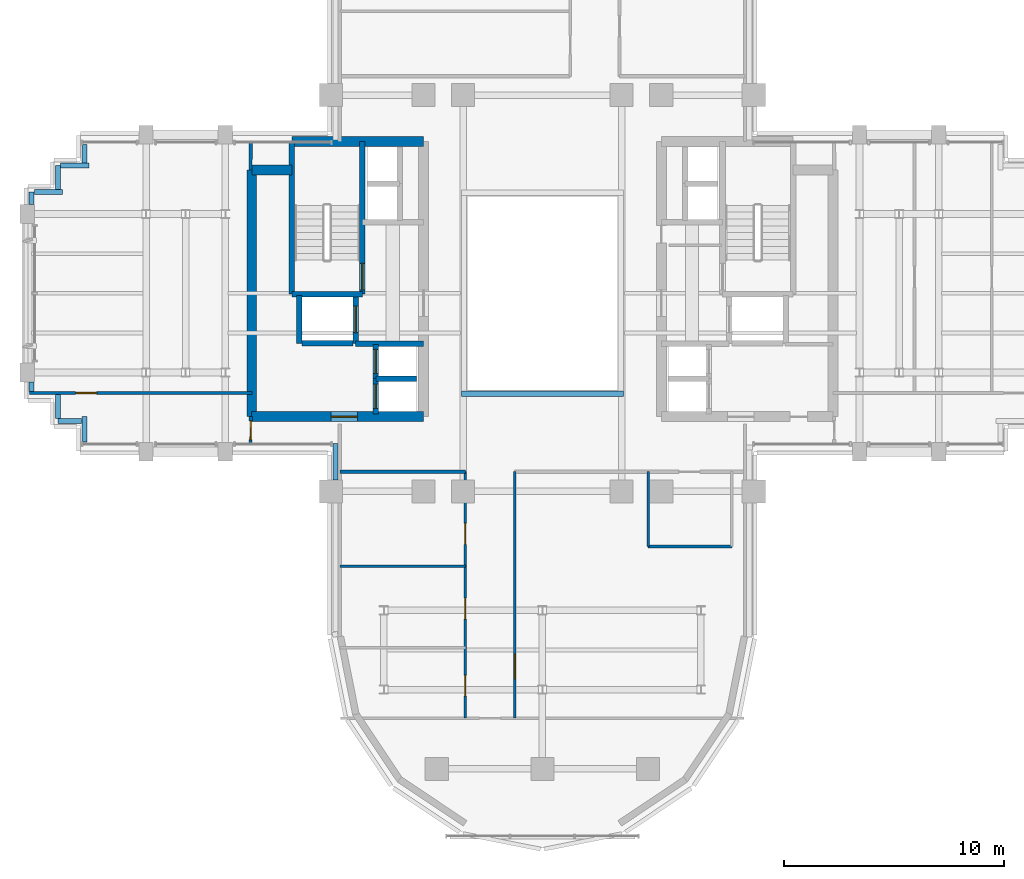
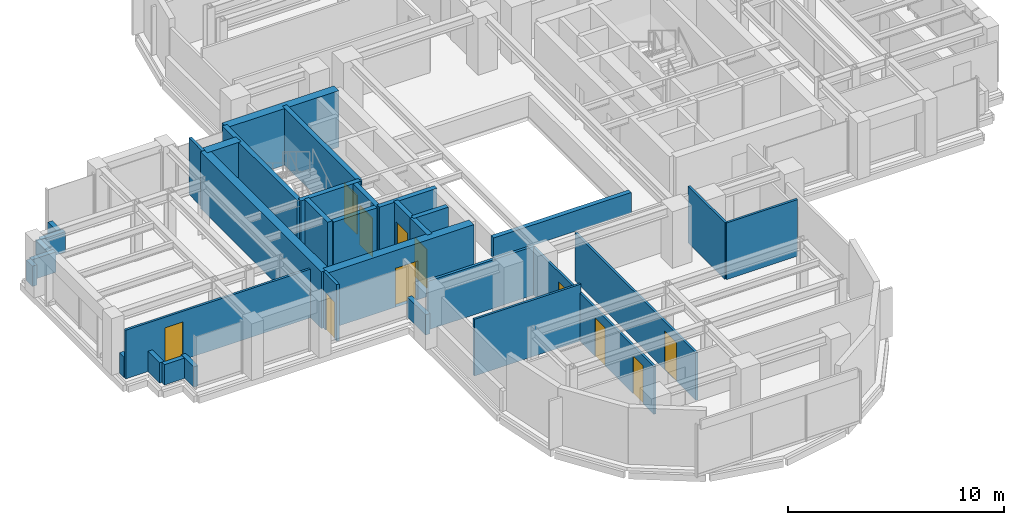
# One storey, part 8 of 14: 34 walls, 11 doors, 11 openings.
"""IFC4 building model written with IfcOpenShell, lengths in metres."""

from ifc_helpers import new_model, si_unit, direction, frame, frame_2d, origin, place, context, subcontext, project, spatial, rectangle, extrude, source, transform, mapped, material, layer, layer_set, type_object, element, fill, save


model = new_model("IFC4")

# Units and contexts
model_context = context("Model", 3, precision=1e-05, world=origin(), true_north=direction((0.0, 1.0)))
body_context = subcontext(model_context, "Body", "Model", "MODEL_VIEW")
ifc_project = project(units=[si_unit("LENGTHUNIT", "METRE"), si_unit("AREAUNIT", "SQUARE_METRE"), si_unit("VOLUMEUNIT", "CUBIC_METRE"), si_unit("PLANEANGLEUNIT", "RADIAN"), si_unit("MASSUNIT", "GRAM", prefix="KILO")], contexts=[model_context])

# Site, building, storey
site_placement = place(None, origin())
site = spatial("IfcSite", under=ifc_project, at=site_placement, CompositionType="ELEMENT")
building_placement = place(site_placement, origin())
building = spatial("IfcBuilding", under=site, at=building_placement, Name="Keilestroom Media Tower", CompositionType="ELEMENT")
storey_placement = place(building_placement, frame((0.0, 0.0, 134.60009765625)))
storey = spatial("IfcBuildingStorey", under=building, at=storey_placement, Name="L36", CompositionType="ELEMENT", Elevation=134.60009765625)

# Wall, openings, doors
ifc_material_1 = material(Name="Gypsum Plasterboard & Steel Stud", Category="steel")
ifc_layer_1 = layer(ifc_material_1, 0.1201171875)
ifc_layer_set_1 = layer_set([ifc_layer_1], Name="Gypsum Plasterboard & Steel Stud")
wall_type_1 = type_object("IfcWallType", Name="Interior-Partition-Wall-120", PredefinedType="PARTITIONING", material=ifc_layer_set_1)
wall_1_placement = place(storey_placement, frame((-3.5, -19.300048828125, 0.0), z_axis=(0.0, 0.0, 1.0), x_axis=(0.0, 1.0, 0.0)))
wall_1 = element("IfcWall", 1, at=wall_1_placement, inside=storey, type_object=wall_type_1, Name="L36 Interior Wall WP-L36-SL-SPW", PredefinedType="PARTITIONING", context=body_context, shape_type="SweptSolid", body=[
    extrude(rectangle(XDim=11.199951171875, YDim=0.1201171875, at=frame_2d((5.60009765625, 0.0))), origin(), (0.0, 0.0, 1.0), 2.699951171875),
])
opening_1_placement = place(wall_1_placement, frame((7.89990234375, 0.0, 0.0)))
opening_1 = element("IfcOpeningElement", 2, at=opening_1_placement, cuts=wall_1, Name="Opening DI-03", PredefinedType="OPENING", context=body_context, shape_type="SweptSolid", body=[
    extrude(rectangle(XDim=0.949951171875, YDim=2.14990234375, at=frame_2d((0.47509765625, 1.074951171875))), frame((0.0, 0.070068359375, 0.0), z_axis=(0.0, -1.0, 0.0), x_axis=(1.0, 0.0, 0.0)), (0.0, 0.0, 1.0), 0.14013671875),
])
opening_2_placement = place(wall_1_placement, frame((4.5, 0.0, 0.0)))
opening_2 = element("IfcOpeningElement", 3, at=opening_2_placement, cuts=wall_1, Name="Opening DI-03", PredefinedType="OPENING", context=body_context, shape_type="SweptSolid", body=[
    extrude(rectangle(XDim=0.949951171875, YDim=2.14990234375, at=frame_2d((0.47509765625, 1.074951171875))), frame((0.0, 0.070068359375, 0.0), z_axis=(0.0, -1.0, 0.0), x_axis=(1.0, 0.0, 0.0)), (0.0, 0.0, 1.0), 0.14013671875),
])
opening_3_placement = place(wall_1_placement, frame((1.0, 0.0, 0.0)))
opening_3 = element("IfcOpeningElement", 4, at=opening_3_placement, cuts=wall_1, Name="Opening DI-03", PredefinedType="OPENING", context=body_context, shape_type="SweptSolid", body=[
    extrude(rectangle(XDim=0.949951171875, YDim=2.14990234375, at=frame_2d((0.47509765625, 1.074951171875))), frame((0.0, 0.070068359375, 0.0), z_axis=(0.0, -1.0, 0.0), x_axis=(1.0, 0.0, 0.0)), (0.0, 0.0, 1.0), 0.14013671875),
])
ifc_material_2 = material(Name="Lacquered European Oak Leaf", Category="wood")
door_type_1 = type_object("IfcDoorType", Name="Interior-Room-And-Suite-Door-DI-03", OperationType="NOTDEFINED", PredefinedType="DOOR", material=ifc_material_2)
shared_shape_1 = source(origin(), body_context, "Body", "SweptSolid", [
    extrude(rectangle(XDim=0.949951171875, YDim=2.14990234375, at=frame_2d((0.47509765625, 1.074951171875))), frame((0.0, 0.02490234375, 0.0), z_axis=(0.0, -1.0, 0.0), x_axis=(1.0, 0.0, 0.0)), (0.0, 0.0, 1.0), 0.050048828125),
])
door_1_placement = place(opening_1_placement, origin())
door_1 = element("IfcDoor", 5, at=door_1_placement, inside=storey, type_object=door_type_1, Name="L36 Interior Door DI-L36-DSL-W1", OperationType="SINGLE_SWING_RIGHT", OverallHeight=2.14990234375, OverallWidth=0.949951171875, PredefinedType="DOOR", context=body_context, shape_type="MappedRepresentation", body=[
    mapped(shared_shape_1, transform((0.0, 0.0, 0.0), x_axis=(1.0, 0.0, 0.0), y_axis=(0.0, 1.0, 0.0), z_axis=(0.0, 0.0, 1.0), scale=1.0)),
])
fill(opening_1, door_1)
door_2_placement = place(opening_2_placement, origin())
door_2 = element("IfcDoor", 6, at=door_2_placement, inside=storey, type_object=door_type_1, Name="L36 Interior Door DI-L36-DSL-W2", OperationType="SINGLE_SWING_LEFT", OverallHeight=2.14990234375, OverallWidth=0.949951171875, PredefinedType="DOOR", context=body_context, shape_type="MappedRepresentation", body=[
    mapped(shared_shape_1, transform((0.0, 0.0, 0.0), x_axis=(1.0, 0.0, 0.0), y_axis=(0.0, 1.0, 0.0), z_axis=(0.0, 0.0, 1.0), scale=1.0)),
])
fill(opening_2, door_2)
door_3_placement = place(opening_3_placement, origin())
door_3 = element("IfcDoor", 7, at=door_3_placement, inside=storey, type_object=door_type_1, Name="L36 Interior Door DI-L36-DSL-W3", OperationType="SINGLE_SWING_RIGHT", OverallHeight=2.14990234375, OverallWidth=0.949951171875, PredefinedType="DOOR", context=body_context, shape_type="MappedRepresentation", body=[
    mapped(shared_shape_1, transform((0.0, 0.0, 0.0), x_axis=(1.0, 0.0, 0.0), y_axis=(0.0, 1.0, 0.0), z_axis=(0.0, 0.0, 1.0), scale=1.0)),
])
fill(opening_3, door_3)

# Wall, opening, door
wall_2_placement = place(storey_placement, frame((-1.260009765625, -19.300048828125, 0.0), z_axis=(0.0, 0.0, 1.0), x_axis=(0.0, 1.0, 0.0)))
wall_2 = element("IfcWall", 8, at=wall_2_placement, inside=storey, type_object=wall_type_1, Name="L36 Interior Wall WP-L36-SL-SPE", PredefinedType="PARTITIONING", context=body_context, shape_type="SweptSolid", body=[
    extrude(rectangle(XDim=11.199951171875, YDim=0.1201171875, at=frame_2d((5.60009765625, 0.0))), origin(), (0.0, 0.0, 1.0), 2.699951171875),
])
opening_4_placement = place(wall_2_placement, frame((1.800048828125, 0.0, 0.0)))
opening_4 = element("IfcOpeningElement", 9, at=opening_4_placement, cuts=wall_2, Name="Opening DI-04", PredefinedType="OPENING", context=body_context, shape_type="SweptSolid", body=[
    extrude(rectangle(XDim=1.10009765625, YDim=2.199951171875, at=frame_2d((0.550048828125, 1.10009765625))), frame((0.0, 0.070068359375, 0.0), z_axis=(0.0, -1.0, 0.0), x_axis=(1.0, 0.0, 0.0)), (0.0, 0.0, 1.0), 0.14013671875),
])
ifc_material_3 = material(Name="Acoustic Glazed Aluminium Leaf", Category="aluminium")
door_type_2 = type_object("IfcDoorType", Name="Interior-Room-And-Suite-Door-DI-04", OperationType="NOTDEFINED", PredefinedType="DOOR", material=ifc_material_3)
shared_shape_2 = source(origin(), body_context, "Body", "SweptSolid", [
    extrude(rectangle(XDim=1.10009765625, YDim=2.199951171875, at=frame_2d((0.550048828125, 1.10009765625))), frame((0.0, 0.02490234375, 0.0), z_axis=(0.0, -1.0, 0.0), x_axis=(1.0, 0.0, 0.0)), (0.0, 0.0, 1.0), 0.050048828125),
])
door_4_placement = place(opening_4_placement, origin())
door_4 = element("IfcDoor", 10, at=door_4_placement, inside=storey, type_object=door_type_2, Name="L36 Interior Door DI-L36-DSL-E1", OperationType="SINGLE_SWING_LEFT", OverallHeight=2.199951171875, OverallWidth=1.10009765625, PredefinedType="DOOR", context=body_context, shape_type="MappedRepresentation", body=[
    mapped(shared_shape_2, transform((0.0, 0.0, 0.0), x_axis=(1.0, 0.0, 0.0), y_axis=(0.0, 1.0, 0.0), z_axis=(0.0, 0.0, 1.0), scale=1.0)),
])
fill(opening_4, door_4)

# Walls
wall_3_placement = place(storey_placement, frame((4.800048828125, -11.5, 0.0), z_axis=(0.0, 0.0, 1.0), x_axis=(1.0, 0.0, 0.0)))
element("IfcWall", 11, at=wall_3_placement, inside=storey, type_object=wall_type_1, Name="L36 Interior Wall WP-L36-SL-WC-S", PredefinedType="PARTITIONING", context=body_context, shape_type="SweptSolid", body=[
    extrude(rectangle(XDim=3.800048828125, YDim=0.1201171875, at=frame_2d((1.89990234375, 0.0))), origin(), (0.0, 0.0, 1.0), 3.199951171875),
])
wall_4_placement = place(storey_placement, frame((4.800048828125, -11.5, 0.0), z_axis=(0.0, 0.0, 1.0), x_axis=(0.0, 1.0, 0.0)))
element("IfcWall", 12, at=wall_4_placement, inside=storey, type_object=wall_type_1, Name="L36 Interior Wall WP-L36-SL-WC-W", PredefinedType="PARTITIONING", context=body_context, shape_type="SweptSolid", body=[
    extrude(rectangle(XDim=3.39990234375, YDim=0.1201171875, at=frame_2d((1.699951171875, 0.0))), origin(), (0.0, 0.0, 1.0), 3.199951171875),
])
wall_5_placement = place(storey_placement, frame((-9.199951171875, -12.39990234375, 0.0), z_axis=(0.0, 0.0, 1.0), x_axis=(1.0, 0.0, 0.0)))
element("IfcWall", 13, at=wall_5_placement, inside=storey, type_object=wall_type_1, Name="L36 Interior Wall WP-L36-SL-HW2", PredefinedType="PARTITIONING", context=body_context, shape_type="SweptSolid", body=[
    extrude(rectangle(XDim=5.699951171875, YDim=0.1201171875, at=frame_2d((2.85009765625, 0.0))), origin(), (0.0, 0.0, 1.0), 3.199951171875),
])

# Wall, opening, door
wall_6_placement = place(storey_placement, frame((-23.300048828125, -4.530029296875, 0.0), z_axis=(0.0, 0.0, 1.0), x_axis=(1.0, 0.0, 0.0)))
wall_6 = element("IfcWall", 14, at=wall_6_placement, inside=storey, type_object=wall_type_1, Name="L36 Interior Wall WP-L36-WA-CN", PredefinedType="PARTITIONING", context=body_context, shape_type="SweptSolid", body=[
    extrude(rectangle(XDim=10.10009765625, YDim=0.1201171875, at=frame_2d((5.050048828125, 0.0))), origin(), (0.0, 0.0, 1.0), 2.75),
])
opening_5_placement = place(wall_6_placement, frame((2.10009765625, 0.0, 0.0)))
opening_5 = element("IfcOpeningElement", 15, at=opening_5_placement, cuts=wall_6, Name="Opening DI-03", PredefinedType="OPENING", context=body_context, shape_type="SweptSolid", body=[
    extrude(rectangle(XDim=0.949951171875, YDim=2.14990234375, at=frame_2d((0.47509765625, 1.074951171875))), frame((0.0, 0.070068359375, 0.0), z_axis=(0.0, -1.0, 0.0), x_axis=(1.0, 0.0, 0.0)), (0.0, 0.0, 1.0), 0.14013671875),
])
door_5_placement = place(opening_5_placement, origin())
door_5 = element("IfcDoor", 16, at=door_5_placement, inside=storey, type_object=door_type_1, Name="L36 Interior Door DI-L36-DWA-RN", OperationType="SINGLE_SWING_LEFT", OverallHeight=2.14990234375, OverallWidth=0.949951171875, PredefinedType="DOOR", context=body_context, shape_type="MappedRepresentation", body=[
    mapped(shared_shape_1, transform((0.0, 0.0, 0.0), x_axis=(1.0, 0.0, 0.0), y_axis=(0.0, 1.0, 0.0), z_axis=(0.0, 0.0, 1.0), scale=1.0)),
])
fill(opening_5, door_5)

# Walls
ifc_layer_2 = layer(ifc_material_1, 0.14990234375)
ifc_layer_set_2 = layer_set([ifc_layer_2], Name="Gypsum Plasterboard & Steel Stud")
wall_type_2 = type_object("IfcWallType", Name="Interior-Partition-Wall-150", PredefinedType="PARTITIONING", material=ifc_layer_set_2)
wall_7_placement = place(storey_placement, frame((-9.199951171875, -8.10009765625, 0.0), z_axis=(0.0, 0.0, 1.0), x_axis=(1.0, 0.0, 0.0)))
element("IfcWall", 17, at=wall_7_placement, inside=storey, type_object=wall_type_2, Name="L36 Interior Wall WP-L36-SL-BASE-W", PredefinedType="PARTITIONING", context=body_context, shape_type="SweptSolid", body=[
    extrude(rectangle(XDim=5.699951171875, YDim=0.14990234375, at=frame_2d((2.85009765625, 0.0))), origin(), (0.0, 0.0, 1.0), 2.75),
])
wall_8_placement = place(storey_placement, frame((-13.260009765625, 5.60009765625, 0.0), z_axis=(0.0, 0.0, 1.0), x_axis=(0.016013571389, 0.999871774545, 0.0)))
element("IfcWall", 18, at=wall_8_placement, inside=storey, type_object=wall_type_2, Name="L36 Interior Wall WP-L36-WA-ENTN", PredefinedType="PARTITIONING", context=body_context, shape_type="SweptSolid", body=[
    extrude(rectangle(XDim=1.250244140625, YDim=0.14990234375, at=frame_2d((0.625, 0.0))), origin(), (0.0, 0.0, 1.0), 3.199951171875),
])

# Wall, opening, door
wall_9_placement = place(storey_placement, frame((-13.260009765625, -6.85009765625, 0.0), z_axis=(0.0, 0.0, 1.0), x_axis=(0.016013571389, 0.999871774545, 0.0)))
wall_9 = element("IfcWall", 19, at=wall_9_placement, inside=storey, type_object=wall_type_2, Name="L36 Interior Wall WP-L36-WA-ENTS", PredefinedType="PARTITIONING", context=body_context, shape_type="SweptSolid", body=[
    extrude(rectangle(XDim=1.250244140625, YDim=0.14990234375, at=frame_2d((0.625, 0.0))), origin(), (0.0, 0.0, 1.0), 3.199951171875),
])
opening_6_placement = place(wall_9_placement, frame((0.199951171875, 0.0, 0.0)))
opening_6 = element("IfcOpeningElement", 20, at=opening_6_placement, cuts=wall_9, Name="Opening DI-05", PredefinedType="OPENING", context=body_context, shape_type="SweptSolid", body=[
    extrude(rectangle(XDim=0.85009765625, YDim=2.10009765625, at=frame_2d((0.425048828125, 1.050048828125))), frame((0.0, 0.0849609375, 0.0), z_axis=(0.0, -1.0, 0.0), x_axis=(1.0, 0.0, 0.0)), (0.0, 0.0, 1.0), 0.169921875),
])
ifc_material_4 = material(Name="Moisture-Resistant Oak Leaf", Category="wood")
door_type_3 = type_object("IfcDoorType", Name="Interior-En-Suite-And-Cupboard-Door-DI-05", OperationType="NOTDEFINED", PredefinedType="DOOR", material=ifc_material_4)
shared_shape_3 = source(origin(), body_context, "Body", "SweptSolid", [
    extrude(rectangle(XDim=0.85009765625, YDim=2.10009765625, at=frame_2d((0.425048828125, 1.050048828125))), frame((0.0, 0.02490234375, 0.0), z_axis=(0.0, -1.0, 0.0), x_axis=(1.0, 0.0, 0.0)), (0.0, 0.0, 1.0), 0.050048828125),
])
door_6_placement = place(opening_6_placement, origin())
door_6 = element("IfcDoor", 21, at=door_6_placement, inside=storey, type_object=door_type_3, Name="L36 Interior Door DI-L36-DWA-ENTS", OperationType="SINGLE_SWING_LEFT", OverallHeight=2.10009765625, OverallWidth=0.85009765625, PredefinedType="DOOR", context=body_context, shape_type="MappedRepresentation", body=[
    mapped(shared_shape_3, transform((0.0, 0.0, 0.0), x_axis=(1.0, 0.0, 0.0), y_axis=(0.0, 1.0, 0.0), z_axis=(0.0, 0.0, 1.0), scale=1.0)),
])
fill(opening_6, door_6)

# Walls
ifc_material_5 = material(Name="Concrete C55/67", Category="concrete")
ifc_layer_3 = layer(ifc_material_5, 0.449951171875)
ifc_layer_set_3 = layer_set([ifc_layer_3], Name="Concrete C55/67")
wall_type_3 = type_object("IfcWallType", Name="Reinforced-Concrete-Core-Shear-Wall-450", PredefinedType="SHEAR", material=ifc_layer_set_3)
wall_10_placement = place(storey_placement, frame((-13.199951171875, -5.60009765625, 0.0), z_axis=(0.0, 0.0, 1.0), x_axis=(0.0, 1.0, 0.0)))
element("IfcWall", 22, at=wall_10_placement, inside=storey, type_object=wall_type_3, Name="L36 Core Shear Wall WL-L36-CORE-W-OUT", PredefinedType="SHEAR", context=body_context, shape_type="SweptSolid", body=[
    extrude(rectangle(XDim=11.2001953125, YDim=0.449951171875, at=frame_2d((5.60009765625, 0.0))), origin(), (0.0, 0.0, 1.0), 3.199951171875),
])
wall_11_placement = place(storey_placement, frame((-11.381103515625, 6.89990234375, 0.0), z_axis=(0.0, 0.0, 1.0), x_axis=(1.0, 0.0, 0.0)))
element("IfcWall", 23, at=wall_11_placement, inside=storey, type_object=wall_type_3, Name="L36 Core Shear Wall WL-L36-CORE-W-N", PredefinedType="SHEAR", context=body_context, shape_type="SweptSolid", body=[
    extrude(rectangle(XDim=5.981201171875, YDim=0.449951171875, at=frame_2d((2.99072265625, 0.0))), origin(), (0.0, 0.0, 1.0), 3.199951171875),
])
wall_12_placement = place(storey_placement, frame((-13.199951171875, 5.60009765625, 0.0), z_axis=(0.0, 0.0, 1.0), x_axis=(1.0, 0.0, 0.0)))
element("IfcWall", 24, at=wall_12_placement, inside=storey, type_object=wall_type_3, Name="L36 Core Shear Wall WL-L36-CNW-N", PredefinedType="SHEAR", context=body_context, shape_type="SweptSolid", body=[
    extrude(rectangle(XDim=1.81884765625, YDim=0.449951171875, at=frame_2d((0.909423828125, 0.0))), origin(), (0.0, 0.0, 1.0), 3.199951171875),
])

# Wall, opening, door
wall_13_placement = place(storey_placement, frame((-13.199951171875, -5.60009765625, 0.0), z_axis=(0.0, 0.0, 1.0), x_axis=(1.0, 0.0, 0.0)))
wall_13 = element("IfcWall", 25, at=wall_13_placement, inside=storey, type_object=wall_type_3, Name="L36 Core Shear Wall WL-L36-CORE-W-S", PredefinedType="SHEAR", context=body_context, shape_type="SweptSolid", body=[
    extrude(rectangle(XDim=7.800048828125, YDim=0.449951171875, at=frame_2d((3.89990234375, 0.0))), origin(), (0.0, 0.0, 1.0), 3.199951171875),
])
opening_7_placement = place(wall_13_placement, frame((3.60009765625, 0.0, 0.0)))
opening_7 = element("IfcOpeningElement", 26, at=opening_7_placement, cuts=wall_13, Name="Opening DI-02", PredefinedType="OPENING", context=body_context, shape_type="SweptSolid", body=[
    extrude(rectangle(XDim=1.199951171875, YDim=2.199951171875, at=frame_2d((0.60009765625, 1.10009765625))), frame((0.0, 0.23486328125, 0.0), z_axis=(0.0, -1.0, 0.0), x_axis=(1.0, 0.0, 0.0)), (0.0, 0.0, 1.0), 0.469970703125),
])
ifc_material_6 = material(Name="Powder-Coated Steel Fire Leaf", Category="steel")
door_type_4 = type_object("IfcDoorType", Name="Interior-Compartment-Fire-Door-DI-02", OperationType="NOTDEFINED", PredefinedType="DOOR", material=ifc_material_6)
shared_shape_4 = source(origin(), body_context, "Body", "SweptSolid", [
    extrude(rectangle(XDim=1.199951171875, YDim=2.199951171875, at=frame_2d((0.60009765625, 1.10009765625))), frame((0.0, 0.02490234375, 0.0), z_axis=(0.0, -1.0, 0.0), x_axis=(1.0, 0.0, 0.0)), (0.0, 0.0, 1.0), 0.050048828125),
])
door_7_placement = place(opening_7_placement, origin())
door_7 = element("IfcDoor", 27, at=door_7_placement, inside=storey, type_object=door_type_4, Name="L36 W Passenger Lift Lobby Door", OperationType="SINGLE_SWING_LEFT", OverallHeight=2.199951171875, OverallWidth=1.199951171875, PredefinedType="DOOR", context=body_context, shape_type="MappedRepresentation", body=[
    mapped(shared_shape_4, transform((0.0, 0.0, 0.0), x_axis=(1.0, 0.0, 0.0), y_axis=(0.0, 1.0, 0.0), z_axis=(0.0, 0.0, 1.0), scale=1.0)),
])
fill(opening_7, door_7)

# Wall
ifc_material_7 = material(Name="Concrete C50/60", Category="concrete")
ifc_layer_4 = layer(ifc_material_7, 0.25)
ifc_layer_set_4 = layer_set([ifc_layer_4], Name="Concrete C50/60")
wall_type_4 = type_object("IfcWallType", Name="Reinforced-Concrete-Shaft-Wall-250", PredefinedType="SOLIDWALL", material=ifc_layer_set_4)
wall_14_placement = place(storey_placement, frame((-8.47998046875, -2.300048828125, 0.0), z_axis=(0.0, 0.0, 1.0), x_axis=(1.0, 0.0, 0.0)))
element("IfcWall", 28, at=wall_14_placement, inside=storey, type_object=wall_type_4, Name="L36 Core Shear Wall WL-L36-CORE-W-FFS", PredefinedType="SOLIDWALL", context=body_context, shape_type="SweptSolid", body=[
    extrude(rectangle(XDim=3.080078125, YDim=0.25, at=frame_2d((1.5400390625, 0.0))), origin(), (0.0, 0.0, 1.0), 3.199951171875),
])

# Wall, opening, door
wall_15_placement = place(storey_placement, frame((-8.178955078125, -0.041015625, 0.0), z_axis=(0.0, 0.0, 1.0), x_axis=(0.0, 1.0, 0.0)))
wall_15 = element("IfcWall", 29, at=wall_15_placement, inside=storey, type_object=wall_type_4, Name="L36 Core Shear Wall WL-L36-STW-W-NEAR", PredefinedType="SOLIDWALL", context=body_context, shape_type="SweptSolid", body=[
    extrude(rectangle(XDim=6.94091796875, YDim=0.25, at=frame_2d((3.470458984375, 0.0))), origin(), (0.0, 0.0, 1.0), 3.199951171875),
])
opening_8_placement = place(wall_15_placement, frame((0.199951171875, 0.0, 0.0)))
opening_8 = element("IfcOpeningElement", 30, at=opening_8_placement, cuts=wall_15, Name="Opening DI-01S", PredefinedType="OPENING", context=body_context, shape_type="SweptSolid", body=[
    extrude(rectangle(XDim=1.199951171875, YDim=2.199951171875, at=frame_2d((0.60009765625, 1.10009765625))), frame((0.0, 0.135009765625, 0.0), z_axis=(0.0, -1.0, 0.0), x_axis=(1.0, 0.0, 0.0)), (0.0, 0.0, 1.0), 0.27001953125),
])
door_type_5 = type_object("IfcDoorType", Name="Interior-Stair-And-Core-Fire-Door-DI-01", OperationType="NOTDEFINED", PredefinedType="DOOR", material=ifc_material_6)
door_8_placement = place(opening_8_placement, origin())
door_8 = element("IfcDoor", 31, at=door_8_placement, inside=storey, type_object=door_type_5, Name="L36 Escape Stair ST-1 Fire Door", OperationType="SINGLE_SWING_LEFT", OverallHeight=2.199951171875, OverallWidth=1.199951171875, PredefinedType="DOOR", context=body_context, shape_type="MappedRepresentation", body=[
    mapped(shared_shape_4, transform((0.0, 0.0, 0.0), x_axis=(1.0, 0.0, 0.0), y_axis=(0.0, 1.0, 0.0), z_axis=(0.0, 0.0, 1.0), scale=1.0)),
])
fill(opening_8, door_8)

# Walls
wall_16_placement = place(storey_placement, frame((-11.381103515625, -0.041015625, 0.0), z_axis=(0.0, 0.0, 1.0), x_axis=(0.0, 1.0, 0.0)))
element("IfcWall", 32, at=wall_16_placement, inside=storey, type_object=wall_type_4, Name="L36 Core Shear Wall WL-L36-STW-W-FAR", PredefinedType="SOLIDWALL", context=body_context, shape_type="SweptSolid", body=[
    extrude(rectangle(XDim=6.94091796875, YDim=0.25, at=frame_2d((3.470458984375, 0.0))), origin(), (0.0, 0.0, 1.0), 3.199951171875),
])
wall_17_placement = place(storey_placement, frame((-11.381103515625, -0.041015625, 0.0), z_axis=(0.0, 0.0, 1.0), x_axis=(1.0, 0.0, 0.0)))
element("IfcWall", 33, at=wall_17_placement, inside=storey, type_object=wall_type_4, Name="L36 Core Shear Wall WL-L36-STW-W-S", PredefinedType="SOLIDWALL", context=body_context, shape_type="SweptSolid", body=[
    extrude(rectangle(XDim=3.2021484375, YDim=0.25, at=frame_2d((1.60107421875, 0.0))), origin(), (0.0, 0.0, 1.0), 3.199951171875),
])
wall_18_placement = place(storey_placement, frame((-11.050048828125, -2.280029296875, 0.0), z_axis=(0.0, 0.0, 1.0), x_axis=(0.0, 1.0, 0.0)))
element("IfcWall", 34, at=wall_18_placement, inside=storey, type_object=wall_type_4, Name="L36 Core Shear Wall WL-L36-LSH-FFL-1-W", PredefinedType="SOLIDWALL", context=body_context, shape_type="SweptSolid", body=[
    extrude(rectangle(XDim=2.179931640625, YDim=0.25, at=frame_2d((1.08984375, 0.0))), origin(), (0.0, 0.0, 1.0), 3.199951171875),
])

# Wall, opening, door
wall_19_placement = place(storey_placement, frame((-8.47998046875, -2.280029296875, 0.0), z_axis=(0.0, 0.0, 1.0), x_axis=(0.0, 1.0, 0.0)))
wall_19 = element("IfcWall", 35, at=wall_19_placement, inside=storey, type_object=wall_type_4, Name="L36 Core Shear Wall WL-L36-LSH-FFL-1-E", PredefinedType="SOLIDWALL", context=body_context, shape_type="SweptSolid", body=[
    extrude(rectangle(XDim=2.179931640625, YDim=0.25, at=frame_2d((1.08984375, 0.0))), origin(), (0.0, 0.0, 1.0), 3.199951171875),
])
opening_9_placement = place(wall_19_placement, frame((0.489990234375, 0.0, 0.0)))
opening_9 = element("IfcOpeningElement", 36, at=opening_9_placement, cuts=wall_19, Name="Opening LD-02", PredefinedType="OPENING", context=body_context, shape_type="SweptSolid", body=[
    extrude(rectangle(XDim=1.199951171875, YDim=2.199951171875, at=frame_2d((0.60009765625, 1.10009765625))), frame((0.0, 0.135009765625, 0.0), z_axis=(0.0, -1.0, 0.0), x_axis=(1.0, 0.0, 0.0)), (0.0, 0.0, 1.0), 0.27001953125),
])
ifc_material_8 = material(Name="Brushed Stainless Steel Sliding Leaf", Category="steel")
door_type_6 = type_object("IfcDoorType", Name="Lift-Landing-Sliding-Door-LD-02", OperationType="SLIDING_TO_RIGHT", PredefinedType="DOOR", material=ifc_material_8)
door_9_placement = place(opening_9_placement, origin())
door_9 = element("IfcDoor", 37, at=door_9_placement, inside=storey, type_object=door_type_6, Name="L36 Lift FFL-1 Landing Sliding Door", OperationType="SLIDING_TO_RIGHT", OverallHeight=2.199951171875, OverallWidth=1.199951171875, PredefinedType="DOOR", context=body_context, shape_type="MappedRepresentation", body=[
    mapped(shared_shape_4, transform((0.0, 0.0, 0.0), x_axis=(1.0, 0.0, 0.0), y_axis=(0.0, 1.0, 0.0), z_axis=(0.0, 0.0, 1.0), scale=1.0)),
])
fill(opening_9, door_9)

# Wall
wall_20_placement = place(storey_placement, frame((-10.9208984375, -2.280029296875, 0.0), z_axis=(0.0, 0.0, 1.0), x_axis=(1.0, 0.0, 0.0)))
element("IfcWall", 38, at=wall_20_placement, inside=storey, type_object=wall_type_4, Name="L36 Core Shear Wall WL-L36-LSH-FFL-1-S", PredefinedType="SOLIDWALL", context=body_context, shape_type="SweptSolid", body=[
    extrude(rectangle(XDim=2.31201171875, YDim=0.25, at=frame_2d((1.156005859375, 0.0))), origin(), (0.0, 0.0, 1.0), 3.199951171875),
])

# Wall, opening, door
wall_21_placement = place(storey_placement, frame((-7.56005859375, -5.47998046875, 0.0), z_axis=(0.0, 0.0, 1.0), x_axis=(0.0, 1.0, 0.0)))
wall_21 = element("IfcWall", 39, at=wall_21_placement, inside=storey, type_object=wall_type_4, Name="L36 Core Shear Wall WL-L36-LSH-PL-M1-W", PredefinedType="SOLIDWALL", context=body_context, shape_type="SweptSolid", body=[
    extrude(rectangle(XDim=1.60009765625, YDim=0.25, at=frame_2d((0.800048828125, 0.0))), origin(), (0.0, 0.0, 1.0), 3.199951171875),
])
opening_10_placement = place(wall_21_placement, frame((0.25, 0.0, 0.0)))
opening_10 = element("IfcOpeningElement", 40, at=opening_10_placement, cuts=wall_21, Name="Opening LD-01", PredefinedType="OPENING", context=body_context, shape_type="SweptSolid", body=[
    extrude(rectangle(XDim=1.10009765625, YDim=2.199951171875, at=frame_2d((0.550048828125, 1.10009765625))), frame((0.0, 0.135009765625, 0.0), z_axis=(0.0, -1.0, 0.0), x_axis=(1.0, 0.0, 0.0)), (0.0, 0.0, 1.0), 0.27001953125),
])
door_type_7 = type_object("IfcDoorType", Name="Lift-Landing-Sliding-Door-LD-01", OperationType="SLIDING_TO_LEFT", PredefinedType="DOOR", material=ifc_material_8)
door_10_placement = place(opening_10_placement, origin())
door_10 = element("IfcDoor", 41, at=door_10_placement, inside=storey, type_object=door_type_7, Name="L36 Lift PL-M1 Landing Sliding Door", OperationType="SLIDING_TO_LEFT", OverallHeight=2.199951171875, OverallWidth=1.10009765625, PredefinedType="DOOR", context=body_context, shape_type="MappedRepresentation", body=[
    mapped(shared_shape_2, transform((0.0, 0.0, 0.0), x_axis=(1.0, 0.0, 0.0), y_axis=(0.0, 1.0, 0.0), z_axis=(0.0, 0.0, 1.0), scale=1.0)),
])
fill(opening_10, door_10)

# Wall
wall_22_placement = place(storey_placement, frame((-7.56005859375, -3.8798828125, 0.0), z_axis=(0.0, 0.0, 1.0), x_axis=(1.0, 0.0, 0.0)))
element("IfcWall", 42, at=wall_22_placement, inside=storey, type_object=wall_type_4, Name="L36 Core Shear Wall WL-L36-LSH-PL-M1-N", PredefinedType="SOLIDWALL", context=body_context, shape_type="SweptSolid", body=[
    extrude(rectangle(XDim=1.840087890625, YDim=0.25, at=frame_2d((0.919921875, 0.0))), origin(), (0.0, 0.0, 1.0), 3.199951171875),
])

# Wall, opening, door
wall_23_placement = place(storey_placement, frame((-7.56005859375, -3.8798828125, 0.0), z_axis=(0.0, 0.0, 1.0), x_axis=(0.0, 1.0, 0.0)))
wall_23 = element("IfcWall", 43, at=wall_23_placement, inside=storey, type_object=wall_type_4, Name="L36 Core Shear Wall WL-L36-LSH-PL-M2-W", PredefinedType="SOLIDWALL", context=body_context, shape_type="SweptSolid", body=[
    extrude(rectangle(XDim=1.559814453125, YDim=0.25, at=frame_2d((0.77978515625, 0.0))), origin(), (0.0, 0.0, 1.0), 3.199951171875),
])
opening_11_placement = place(wall_23_placement, frame((0.22998046875, 0.0, 0.0)))
opening_11 = element("IfcOpeningElement", 44, at=opening_11_placement, cuts=wall_23, Name="Opening LD-01", PredefinedType="OPENING", context=body_context, shape_type="SweptSolid", body=[
    extrude(rectangle(XDim=1.10009765625, YDim=2.199951171875, at=frame_2d((0.550048828125, 1.10009765625))), frame((0.0, 0.135009765625, 0.0), z_axis=(0.0, -1.0, 0.0), x_axis=(1.0, 0.0, 0.0)), (0.0, 0.0, 1.0), 0.27001953125),
])
door_11_placement = place(opening_11_placement, origin())
door_11 = element("IfcDoor", 45, at=door_11_placement, inside=storey, type_object=door_type_7, Name="L36 Lift PL-M2 Landing Sliding Door", OperationType="SLIDING_TO_LEFT", OverallHeight=2.199951171875, OverallWidth=1.10009765625, PredefinedType="DOOR", context=body_context, shape_type="MappedRepresentation", body=[
    mapped(shared_shape_2, transform((0.0, 0.0, 0.0), x_axis=(1.0, 0.0, 0.0), y_axis=(0.0, 1.0, 0.0), z_axis=(0.0, 0.0, 1.0), scale=1.0)),
])
fill(opening_11, door_11)

# Walls
ifc_material_9 = material(Name="Precast concrete C40/50", Category="concrete")
ifc_layer_5 = layer(ifc_material_9, 0.239990234375)
ifc_layer_set_5 = layer_set([ifc_layer_5], Name="Precast concrete C40/50")
wall_type_5 = type_object("IfcWallType", Name="Roof-And-Terrace-Parapet-Wall-240", PredefinedType="PARAPET", material=ifc_layer_set_5)
wall_24_placement = place(storey_placement, frame((-9.39990234375, -8.471923828125, 0.0), z_axis=(0.0, 0.0, 1.0), x_axis=(0.0, 1.0, 0.0)))
element("IfcWall", 46, at=wall_24_placement, inside=storey, type_object=wall_type_5, Name="L36 Perimeter Edge Parapet Wall 09", PredefinedType="PARAPET", context=body_context, shape_type="SweptSolid", body=[
    extrude(rectangle(XDim=1.653076171875, YDim=0.239990234375, at=frame_2d((0.82666015625, 0.0))), origin(), (0.0, 0.0, 1.0), 1.14990234375),
])
wall_25_placement = place(storey_placement, frame((-20.800048828125, -6.757080078125, 0.0), z_axis=(0.0, 0.0, 1.0), x_axis=(0.0, 1.0, 0.0)))
element("IfcWall", 47, at=wall_25_placement, inside=storey, type_object=wall_type_5, Name="L36 Perimeter Edge Parapet Wall 10", PredefinedType="PARAPET", context=body_context, shape_type="SweptSolid", body=[
    extrude(rectangle(XDim=1.156982421875, YDim=0.239990234375, at=frame_2d((0.57861328125, 0.0))), origin(), (0.0, 0.0, 1.0), 1.14990234375),
])
wall_26_placement = place(storey_placement, frame((-20.923095703125, -5.800048828125, 0.0), z_axis=(0.0, 0.0, 1.0), x_axis=(-1.0, 0.0, 0.0)))
element("IfcWall", 48, at=wall_26_placement, inside=storey, type_object=wall_type_5, Name="L36 Perimeter Edge Parapet Wall 11", PredefinedType="PARAPET", context=body_context, shape_type="SweptSolid", body=[
    extrude(rectangle(XDim=1.076904296875, YDim=0.239990234375, at=frame_2d((0.53857421875, 0.0))), origin(), (0.0, 0.0, 1.0), 1.14990234375),
])
wall_27_placement = place(storey_placement, frame((-22.0, -5.677001953125, 0.0), z_axis=(0.0, 0.0, 1.0), x_axis=(0.0, 1.0, 0.0)))
element("IfcWall", 49, at=wall_27_placement, inside=storey, type_object=wall_type_5, Name="L36 Perimeter Edge Parapet Wall 12", PredefinedType="PARAPET", context=body_context, shape_type="SweptSolid", body=[
    extrude(rectangle(XDim=1.083984375, YDim=0.239990234375, at=frame_2d((0.5419921875, 0.0))), origin(), (0.0, 0.0, 1.0), 1.14990234375),
])
wall_28_placement = place(storey_placement, frame((-23.199951171875, -4.467041015625, 0.0), z_axis=(0.0, 0.0, 1.0), x_axis=(0.0, 1.0, 0.0)))
element("IfcWall", 50, at=wall_28_placement, inside=storey, type_object=wall_type_5, Name="L36 Perimeter Edge Parapet Wall 13", PredefinedType="PARAPET", context=body_context, shape_type="SweptSolid", body=[
    extrude(rectangle(XDim=0.43896484375, YDim=0.239990234375, at=frame_2d((0.219482421875, 0.0))), origin(), (0.0, 0.0, 1.0), 1.14990234375),
])
wall_29_placement = place(storey_placement, frame((-23.199951171875, 4.028076171875, 0.0), z_axis=(0.0, 0.0, 1.0), x_axis=(0.0, 1.0, 0.0)))
element("IfcWall", 51, at=wall_29_placement, inside=storey, type_object=wall_type_5, Name="L36 Perimeter Edge Parapet Wall 14", PredefinedType="PARAPET", context=body_context, shape_type="SweptSolid", body=[
    extrude(rectangle(XDim=0.572021484375, YDim=0.239990234375, at=frame_2d((0.2861328125, 0.0))), origin(), (0.0, 0.0, 1.0), 1.14990234375),
])
wall_30_placement = place(storey_placement, frame((-23.076904296875, 4.60009765625, 0.0), z_axis=(0.0, 0.0, 1.0), x_axis=(1.0, 0.0, 0.0)))
element("IfcWall", 52, at=wall_30_placement, inside=storey, type_object=wall_type_5, Name="L36 Perimeter Edge Parapet Wall 15", PredefinedType="PARAPET", context=body_context, shape_type="SweptSolid", body=[
    extrude(rectangle(XDim=1.27685546875, YDim=0.239990234375, at=frame_2d((0.638427734375, 0.0))), origin(), (0.0, 0.0, 1.0), 1.14990234375),
])
wall_31_placement = place(storey_placement, frame((-22.0, 4.722900390625, 0.0), z_axis=(0.0, 0.0, 1.0), x_axis=(0.0, 1.0, 0.0)))
element("IfcWall", 53, at=wall_31_placement, inside=storey, type_object=wall_type_5, Name="L36 Perimeter Edge Parapet Wall 16", PredefinedType="PARAPET", context=body_context, shape_type="SweptSolid", body=[
    extrude(rectangle(XDim=1.0771484375, YDim=0.239990234375, at=frame_2d((0.53857421875, 0.0))), origin(), (0.0, 0.0, 1.0), 1.14990234375),
])
wall_32_placement = place(storey_placement, frame((-21.876953125, 5.800048828125, 0.0), z_axis=(0.0, 0.0, 1.0), x_axis=(1.0, 0.0, 0.0)))
element("IfcWall", 54, at=wall_32_placement, inside=storey, type_object=wall_type_5, Name="L36 Perimeter Edge Parapet Wall 17", PredefinedType="PARAPET", context=body_context, shape_type="SweptSolid", body=[
    extrude(rectangle(XDim=1.27685546875, YDim=0.239990234375, at=frame_2d((0.638427734375, 0.0))), origin(), (0.0, 0.0, 1.0), 1.14990234375),
])
wall_33_placement = place(storey_placement, frame((-20.800048828125, 5.923095703125, 0.0), z_axis=(0.0, 0.0, 1.0), x_axis=(0.0, 1.0, 0.0)))
element("IfcWall", 55, at=wall_33_placement, inside=storey, type_object=wall_type_5, Name="L36 Perimeter Edge Parapet Wall 18", PredefinedType="PARAPET", context=body_context, shape_type="SweptSolid", body=[
    extrude(rectangle(XDim=0.833984375, YDim=0.239990234375, at=frame_2d((0.4169921875, 0.0))), origin(), (0.0, 0.0, 1.0), 1.14990234375),
])
wall_34_placement = place(storey_placement, frame((-3.679931640625, -4.56005859375, 0.0), z_axis=(0.0, 0.0, 1.0), x_axis=(1.0, 0.0, 0.0)))
element("IfcWall", 56, at=wall_34_placement, inside=storey, type_object=wall_type_5, Name="L36 Central Atrium Guard Parapet S", PredefinedType="PARAPET", context=body_context, shape_type="SweptSolid", body=[
    extrude(rectangle(XDim=7.35986328125, YDim=0.239990234375, at=frame_2d((3.679931640625, 0.0))), origin(), (0.0, 0.0, 1.0), 1.14990234375),
])

save(model, "model.ifc")
